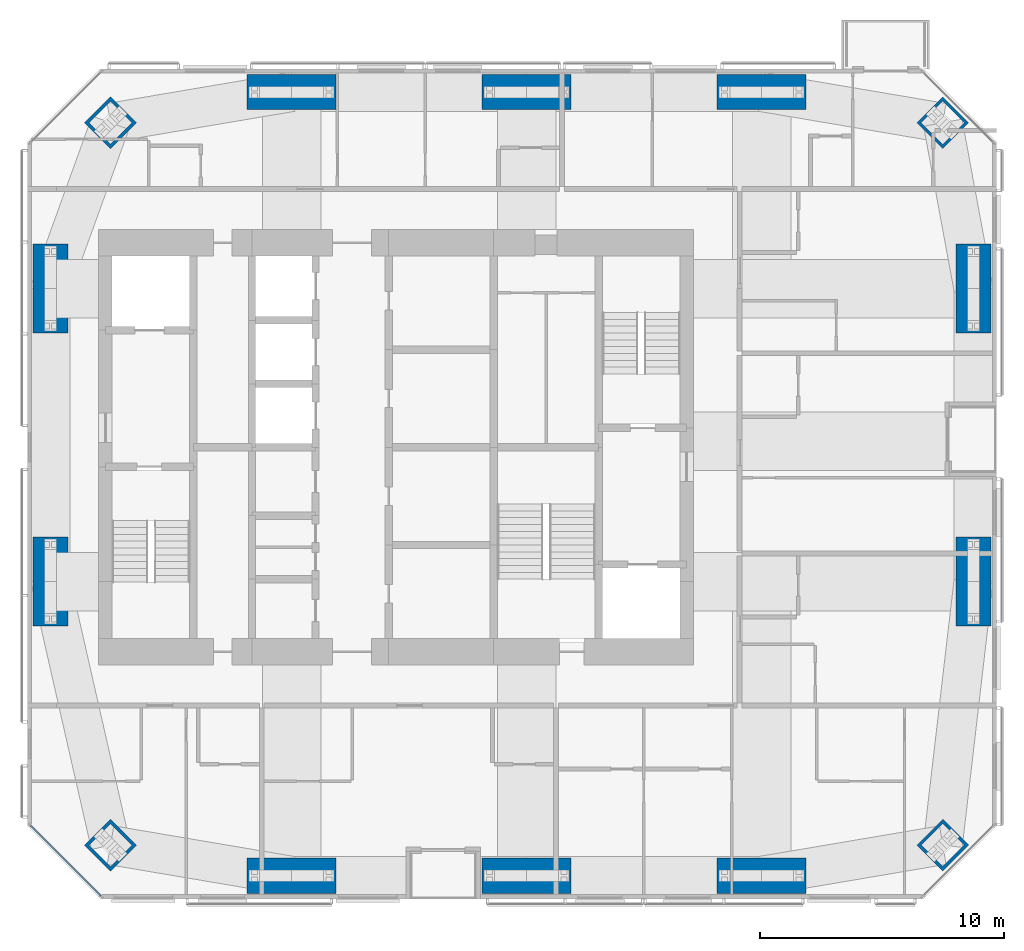
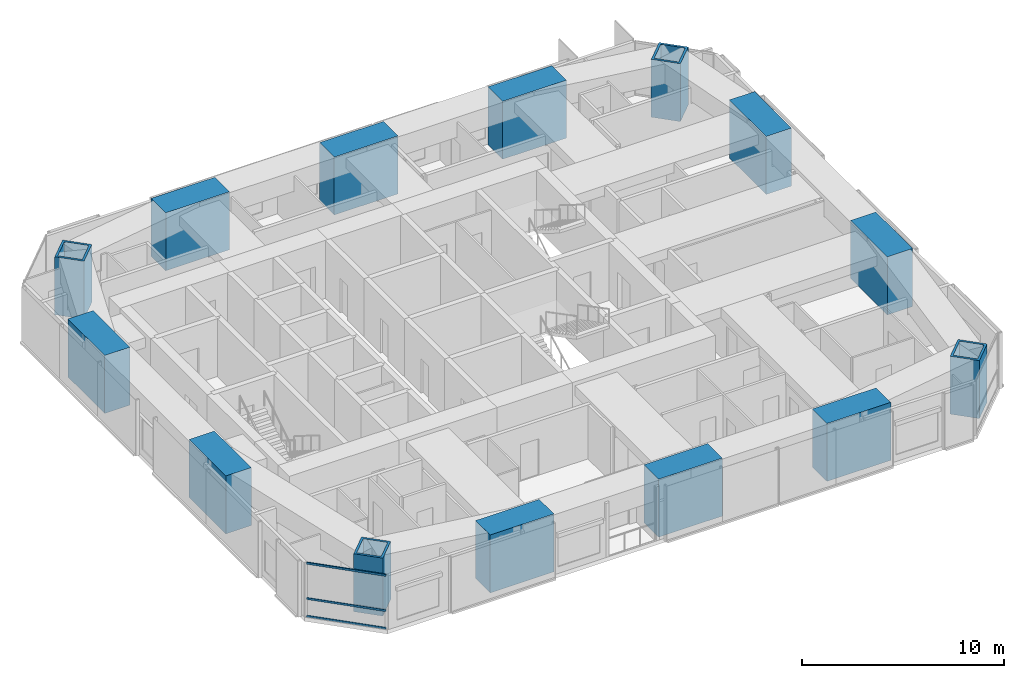
# One storey, part 1 of 19: 14 columns, 3 members, 1 element without a shape of its own.
"""IFC4 building model written with IfcOpenShell, lengths in metres."""

from ifc_helpers import new_model, si_unit, direction, frame, origin, origin_2d, place, context, subcontext, project, spatial, rectangle, hollow_rectangle, extrude, material, material_profile, profile_set, type_object, element, aggregate, save


model = new_model("IFC4")

# Units and contexts
model_context = context("Model", 3, precision=1e-05, world=origin(), true_north=direction((0.0, 1.0)))
body_context = subcontext(model_context, "Body", "Model", "MODEL_VIEW")
ifc_project = project(units=[si_unit("LENGTHUNIT", "METRE"), si_unit("AREAUNIT", "SQUARE_METRE"), si_unit("VOLUMEUNIT", "CUBIC_METRE"), si_unit("PLANEANGLEUNIT", "RADIAN"), si_unit("MASSUNIT", "GRAM", prefix="KILO")], contexts=[model_context])

# Site, building, storey
site_placement = place(None, origin())
site = spatial("IfcSite", under=ifc_project, at=site_placement, CompositionType="ELEMENT")
building_placement = place(site_placement, origin())
building = spatial("IfcBuilding", under=site, at=building_placement, Name="Jalousie Tower", CompositionType="ELEMENT")
storey_placement = place(building_placement, frame((0.0, 0.0, 221.449951171875)))
storey = spatial("IfcBuildingStorey", under=building, at=storey_placement, Name="L60", CompositionType="ELEMENT", Elevation=221.449951171875)

# Columns
ifc_material_1 = material(Name="Steel EN 10025-2 S355J2 plate", Category="steel")
ifc_material_profile_1 = material_profile(ifc_material_1, hollow_rectangle(XDim=1.5, YDim=1.5, WallThickness=0.125, at=origin_2d()), Name="BOX 1500x1500x125")
ifc_profile_set_1 = profile_set([ifc_material_profile_1], Name="Steel EN 10025-2 S355J2 plate")
column_type_1 = type_object("IfcColumnType", Name="BUILT-UP BOX CORNER COLUMN BOX 1500x1500x125", PredefinedType="COLUMN", material=ifc_profile_set_1)
for number, where, z_axis, x_axis, name in (
    (1, (20.20703125, 2.20703125, 0.0), (0.0, 0.0, 1.0), (0.707106781187, 0.707106781187, 0.0), "Corner column 01 L60"),
    (2, (54.29296875, 2.20703125, 0.0), (0.0, 0.0, 1.0), (-0.707106781187, 0.707106781187, 0.0), "Corner column 05 L60"),
    (3, (54.29296875, 31.79296875, 0.0), (0.0, 0.0, 1.0), (-0.707106781187, -0.707106781187, 0.0), "Corner column 08 L60"),
    (4, (20.20703125, 31.79296875, 0.0), (0.0, 0.0, 1.0), (0.707106781187, -0.707106781187, 0.0), "Corner column 12 L60"),
):
    element("IfcColumn", number, at=place(storey_placement, frame(where, z_axis=z_axis, x_axis=x_axis)), inside=storey, type_object=column_type_1, Name=name, PredefinedType="COLUMN", context=body_context, shape_type="SweptSolid", body=[
        extrude(hollow_rectangle(XDim=1.5, YDim=1.5, WallThickness=0.125, at=origin_2d()), origin(), (0.0, 0.0, 1.0), 3.5),
    ])
ifc_material_2 = material(Name="Concrete f'c 120 MPa", Category="concrete")
ifc_material_profile_2 = material_profile(ifc_material_2, rectangle(XDim=1.449951171875, YDim=3.64990234375, at=origin_2d()), Name="RC 1450x3650")
ifc_profile_set_2 = profile_set([ifc_material_profile_2], Name="Concrete f'c 120 MPa")
column_type_2 = type_object("IfcColumnType", Name="RC COLUMN 1450x3650", PredefinedType="COLUMN", material=ifc_profile_set_2)
for number, where, z_axis, x_axis, name in (
    (5, (27.625, 0.949951171875, 0.0), (0.0, 0.0, 1.0), (0.0, 1.0, 0.0), "Column 02 L60"),
    (6, (37.25, 0.949951171875, 0.0), (0.0, 0.0, 1.0), (0.0, 1.0, 0.0), "Column 03 L60"),
    (7, (46.875, 0.949951171875, 0.0), (0.0, 0.0, 1.0), (0.0, 1.0, 0.0), "Column 04 L60"),
    (8, (55.550048828125, 13.0, 0.0), (0.0, 0.0, 1.0), (1.0, 0.0, 0.0), "Column 06 L60"),
    (9, (55.550048828125, 25.0, 0.0), (0.0, 0.0, 1.0), (1.0, 0.0, 0.0), "Column 07 L60"),
    (10, (46.875, 33.050048828125, 0.0), (0.0, 0.0, 1.0), (0.0, 1.0, 0.0), "Column 09 L60"),
    (11, (37.25, 33.050048828125, 0.0), (0.0, 0.0, 1.0), (0.0, 1.0, 0.0), "Column 10 L60"),
    (12, (27.625, 33.050048828125, 0.0), (0.0, 0.0, 1.0), (0.0, 1.0, 0.0), "Column 11 L60"),
    (13, (17.75, 25.0, 0.0), (0.0, 0.0, 1.0), (1.0, 0.0, 0.0), "Column 13 L60"),
    (14, (17.75, 13.0, 0.0), (0.0, 0.0, 1.0), (1.0, 0.0, 0.0), "Column 14 L60"),
):
    element("IfcColumn", number, at=place(storey_placement, frame(where, z_axis=z_axis, x_axis=x_axis)), inside=storey, type_object=column_type_2, Name=name, PredefinedType="COLUMN", context=body_context, shape_type="SweptSolid", body=[
        extrude(rectangle(XDim=1.449951171875, YDim=3.64990234375, at=origin_2d()), origin(), (0.0, 0.0, 1.0), 3.5),
    ])

# Curtain wall, members
ifc_material_3 = material(Name="Aluminium curtain wall", Category="aluminium")
curtain_wall_type = type_object("IfcCurtainWallType", Name="CORNER WINDOW WALL", PredefinedType="USERDEFINED", material=ifc_material_3)
curtain_wall_placement = place(storey_placement, origin())
curtain_wall = element("IfcCurtainWall", 15, at=curtain_wall_placement, inside=storey, type_object=curtain_wall_type, Name="Corner Window Wall L60 8", ObjectType="CORNER WINDOW WALL", PredefinedType="USERDEFINED")
ifc_material_4 = material(Name="Aluminium transom", Category="aluminium")
ifc_material_profile_3 = material_profile(ifc_material_4, rectangle(XDim=0.06005859375, YDim=0.1201171875, at=origin_2d()), Name="TRANSOM 60x120")
ifc_profile_set_3 = profile_set([ifc_material_profile_3], Name="Aluminium transom")
member_type = type_object("IfcMemberType", Name="CORNER WINDOW WALL TRANSOM", PredefinedType="USERDEFINED", material=ifc_profile_set_3)
member_1_placement = place(storey_placement, frame((16.929931640625, 3.0087890625, 0.030029296875), z_axis=(0.707106781187, -0.707106781187, 0.0), x_axis=(0.707106781187, 0.707106781187, 0.0)))
member_1 = element("IfcMember", 16, at=member_1_placement, type_object=member_type, Name="CW-C transom 1.1", ObjectType="TRANSOM", PredefinedType="USERDEFINED", context=body_context, shape_type="SweptSolid", body=[
    extrude(rectangle(XDim=0.06005859375, YDim=0.1201171875, at=origin_2d()), origin(), (0.0, 0.0, 1.0), 4.0712890625),
])
member_2_placement = place(storey_placement, frame((16.929931640625, 3.0087890625, 1.10009765625), z_axis=(0.707106781187, -0.707106781187, 0.0), x_axis=(0.707106781187, 0.707106781187, 0.0)))
member_2 = element("IfcMember", 17, at=member_2_placement, type_object=member_type, Name="CW-C transom 1.2", ObjectType="TRANSOM", PredefinedType="USERDEFINED", context=body_context, shape_type="SweptSolid", body=[
    extrude(rectangle(XDim=0.06005859375, YDim=0.1201171875, at=origin_2d()), origin(), (0.0, 0.0, 1.0), 4.0712890625),
])
member_3_placement = place(storey_placement, frame((16.929931640625, 3.0087890625, 3.22998046875), z_axis=(0.707106781187, -0.707106781187, 0.0), x_axis=(0.707106781187, 0.707106781187, 0.0)))
member_3 = element("IfcMember", 18, at=member_3_placement, type_object=member_type, Name="CW-C transom 1.3", ObjectType="TRANSOM", PredefinedType="USERDEFINED", context=body_context, shape_type="SweptSolid", body=[
    extrude(rectangle(XDim=0.06005859375, YDim=0.1201171875, at=origin_2d()), origin(), (0.0, 0.0, 1.0), 4.0712890625),
])
aggregate(curtain_wall, [member_1, member_2, member_3])

save(model, "model.ifc")
